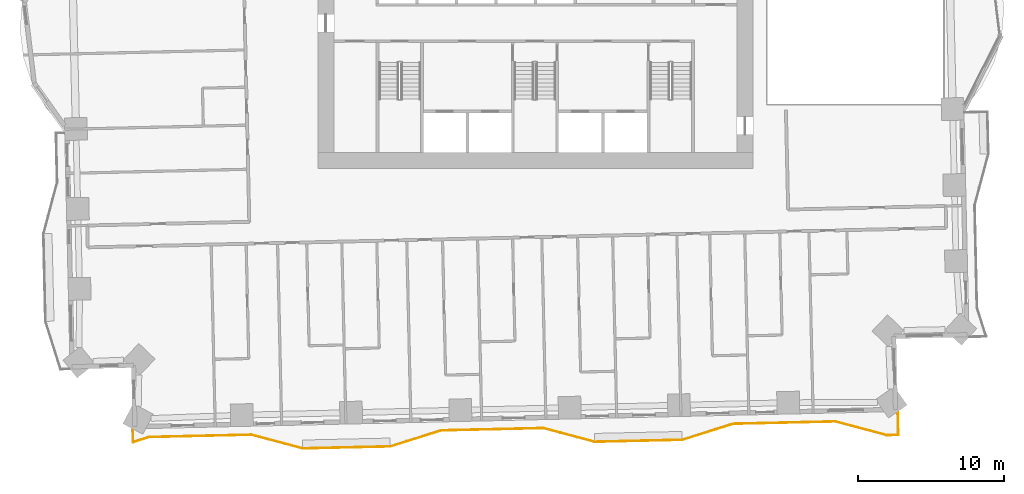
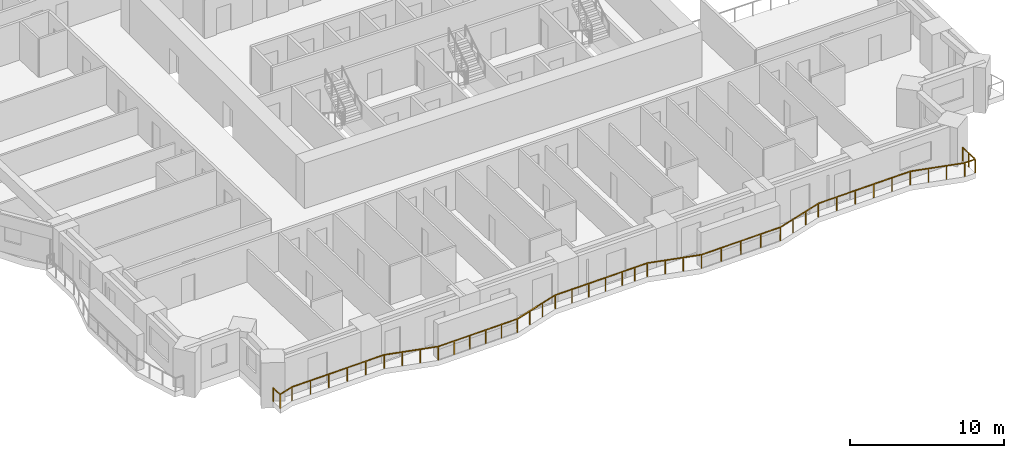
# One storey, part 14 of 16: 1 railing.
"""IFC4 building model written with IfcOpenShell, lengths in metres."""

from ifc_helpers import new_model, si_unit, direction, frame, origin, origin_2d, place, context, subcontext, project, spatial, rectangle, extrude, material, type_object, element, save


model = new_model("IFC4")

# Units and contexts
model_context = context("Model", 3, precision=1e-05, world=origin(), true_north=direction((0.0, 1.0)))
body_context = subcontext(model_context, "Body", "Model", "MODEL_VIEW")
ifc_project = project(units=[si_unit("LENGTHUNIT", "METRE"), si_unit("AREAUNIT", "SQUARE_METRE"), si_unit("VOLUMEUNIT", "CUBIC_METRE"), si_unit("PLANEANGLEUNIT", "RADIAN"), si_unit("MASSUNIT", "GRAM", prefix="KILO")], contexts=[model_context])

# Site, building, storey
site_placement = place(None, origin())
site = spatial("IfcSite", under=ifc_project, at=site_placement, CompositionType="ELEMENT")
building_placement = place(site_placement, origin())
building = spatial("IfcBuilding", under=site, at=building_placement, Name="Mangrove Gate Tower", CompositionType="ELEMENT")
storey_placement = place(building_placement, frame((0.0, 0.0, 37.699951171875)))
storey = spatial("IfcBuildingStorey", under=building, at=storey_placement, Name="L08", CompositionType="ELEMENT", Elevation=37.699951171875)

# Railing
ifc_material = material(Name="Stainless steel grade 316 with laminated glass infill", Category="steel")
railing_type = type_object("IfcRailingType", Name="Balcony guard 1100", PredefinedType="GUARDRAIL", material=ifc_material)
railing_placement = place(storey_placement, frame((-27.568115234375, -29.785888671875, 0.0)))
element("IfcRailing", 1, at=railing_placement, inside=storey, type_object=railing_type, Name="GUARD L08 S1", PredefinedType="GUARDRAIL", context=body_context, shape_type="SweptSolid", body=[
    extrude(rectangle(XDim=0.048095703125, YDim=0.048095703125, at=origin_2d()), frame((0.0, 0.0, 1.076171875), z_axis=(0.021954166752, -0.999758978235, 0.0), x_axis=(0.999758978235, 0.021954166752, 0.0)), (0.0, 0.0, 1.0), 0.867431640625),
    extrude(rectangle(XDim=0.048095703125, YDim=0.048095703125, at=origin_2d()), frame((0.01904296875, -0.8671875, 1.076171875), z_axis=(0.953630941543, 0.300978449944, 0.0), x_axis=(-0.300978449944, 0.953630941543, 0.0)), (0.0, 0.0, 1.0), 1.146240234375),
    extrude(rectangle(XDim=0.048095703125, YDim=0.048095703125, at=origin_2d()), frame((1.112060546875, -0.522216796875, 1.076171875), z_axis=(0.999741403216, 0.022740419861, 0.0), x_axis=(-0.022740419861, 0.999741403216, 0.0)), (0.0, 0.0, 1.0), 6.999755859375),
    extrude(rectangle(XDim=0.048095703125, YDim=0.048095703125, at=origin_2d()), frame((8.110107421875, -0.363037109375, 1.076171875), z_axis=(0.966317161661, -0.257354119999, 0.0), x_axis=(0.257354119999, 0.966317161661, 0.0)), (0.0, 0.0, 1.0), 3.644775390625),
    extrude(rectangle(XDim=0.048095703125, YDim=0.048095703125, at=origin_2d()), frame((11.632080078125, -1.301025390625, 1.076171875), z_axis=(0.999743178102, 0.022662255828, 0.0), x_axis=(-0.022662255828, 0.999743178102, 0.0)), (0.0, 0.0, 1.0), 6.00048828125),
    extrude(rectangle(XDim=0.048095703125, YDim=0.048095703125, at=origin_2d()), frame((17.631103515625, -1.1650390625, 1.076171875), z_axis=(0.953721256752, 0.300692142264, 0.0), x_axis=(-0.300692142264, 0.953721256752, 0.0)), (0.0, 0.0, 1.0), 3.644775390625),
    extrude(rectangle(XDim=0.048095703125, YDim=0.048095703125, at=origin_2d()), frame((21.107177734375, -0.069091796875, 1.076171875), z_axis=(0.999741365697, 0.022742069283, 0.0), x_axis=(-0.022742069283, 0.999741365697, 0.0)), (0.0, 0.0, 1.0), 5.09912109375),
    extrude(rectangle(XDim=0.048095703125, YDim=0.048095703125, at=origin_2d()), frame((26.205078125, 0.046875, 1.076171875), z_axis=(0.999744415357, 0.022607608519, 0.0), x_axis=(-0.022607608519, 0.999744415357, 0.0)), (0.0, 0.0, 1.0), 1.900634765625),
    extrude(rectangle(XDim=0.048095703125, YDim=0.048095703125, at=origin_2d()), frame((28.105224609375, 0.08984375, 1.076171875), z_axis=(0.966317161661, -0.257354119999, 0.0), x_axis=(0.257354119999, 0.966317161661, 0.0)), (0.0, 0.0, 1.0), 3.644775390625),
    extrude(rectangle(XDim=0.048095703125, YDim=0.048095703125, at=origin_2d()), frame((31.627197265625, -0.84814453125, 1.076171875), z_axis=(0.999739371644, 0.02282955947, 0.0), x_axis=(-0.02282955947, 0.999739371644, 0.0)), (0.0, 0.0, 1.0), 5.999267578125),
    extrude(rectangle(XDim=0.048095703125, YDim=0.048095703125, at=origin_2d()), frame((37.625, -0.711181640625, 1.076171875), z_axis=(0.953702045695, 0.30075306821, 0.0), x_axis=(-0.30075306821, 0.953702045695, 0.0)), (0.0, 0.0, 1.0), 3.644775390625),
    extrude(rectangle(XDim=0.048095703125, YDim=0.048095703125, at=origin_2d()), frame((41.10107421875, 0.385009765625, 1.076171875), z_axis=(0.999742267452, 0.022702393474, 0.0), x_axis=(-0.022702393474, 0.999742267452, 0.0)), (0.0, 0.0, 1.0), 7.000732421875),
    extrude(rectangle(XDim=0.048095703125, YDim=0.048095703125, at=origin_2d()), frame((48.10009765625, 0.5439453125, 1.076171875), z_axis=(0.966317161661, -0.257354119999, 0.0), x_axis=(0.257354119999, 0.966317161661, 0.0)), (0.0, 0.0, 1.0), 3.644775390625),
    extrude(rectangle(XDim=0.048095703125, YDim=0.048095703125, at=origin_2d()), frame((51.6220703125, -0.39404296875, 1.076171875), z_axis=(0.999751971697, 0.022270947188, 0.0), x_axis=(-0.022270947188, 0.999751971697, 0.0)), (0.0, 0.0, 1.0), 0.80029296875),
    extrude(rectangle(XDim=0.048095703125, YDim=0.048095703125, at=origin_2d()), frame((52.422119140625, -0.376220703125, 1.076171875), z_axis=(-0.02293761886, 0.999736898209, 0.0), x_axis=(-0.999736898209, -0.02293761886, 0.0)), (0.0, 0.0, 1.0), 1.564697265625),
    extrude(rectangle(XDim=0.0419921875, YDim=0.0419921875, at=origin_2d()), origin(), (0.0, 0.0, 1.0), 1.052001953125),
    extrude(rectangle(XDim=0.0419921875, YDim=0.0419921875, at=origin_2d()), frame((0.01904296875, -0.8671875, 0.0)), (0.0, 0.0, 1.0), 1.052001953125),
    extrude(rectangle(XDim=0.0419921875, YDim=0.0419921875, at=origin_2d()), frame((1.112060546875, -0.522216796875, 0.0)), (0.0, 0.0, 1.0), 1.052001953125),
    extrude(rectangle(XDim=0.0419921875, YDim=0.0419921875, at=origin_2d()), frame((2.51171875, -0.490478515625, 0.0)), (0.0, 0.0, 1.0), 1.052001953125),
    extrude(rectangle(XDim=0.0419921875, YDim=0.0419921875, at=origin_2d()), frame((3.911376953125, -0.45849609375, 0.0)), (0.0, 0.0, 1.0), 1.052001953125),
    extrude(rectangle(XDim=0.0419921875, YDim=0.0419921875, at=origin_2d()), frame((5.310791015625, -0.4267578125, 0.0)), (0.0, 0.0, 1.0), 1.052001953125),
    extrude(rectangle(XDim=0.0419921875, YDim=0.0419921875, at=origin_2d()), frame((6.71044921875, -0.394775390625, 0.0)), (0.0, 0.0, 1.0), 1.052001953125),
    extrude(rectangle(XDim=0.0419921875, YDim=0.0419921875, at=origin_2d()), frame((8.110107421875, -0.363037109375, 0.0)), (0.0, 0.0, 1.0), 1.052001953125),
    extrude(rectangle(XDim=0.0419921875, YDim=0.0419921875, at=origin_2d()), frame((9.2841796875, -0.67578125, 0.0)), (0.0, 0.0, 1.0), 1.052001953125),
    extrude(rectangle(XDim=0.0419921875, YDim=0.0419921875, at=origin_2d()), frame((10.4580078125, -0.98828125, 0.0)), (0.0, 0.0, 1.0), 1.052001953125),
    extrude(rectangle(XDim=0.0419921875, YDim=0.0419921875, at=origin_2d()), frame((11.632080078125, -1.301025390625, 0.0)), (0.0, 0.0, 1.0), 1.052001953125),
    extrude(rectangle(XDim=0.0419921875, YDim=0.0419921875, at=origin_2d()), frame((12.831787109375, -1.27392578125, 0.0)), (0.0, 0.0, 1.0), 1.052001953125),
    extrude(rectangle(XDim=0.0419921875, YDim=0.0419921875, at=origin_2d()), frame((14.03173828125, -1.24658203125, 0.0)), (0.0, 0.0, 1.0), 1.052001953125),
    extrude(rectangle(XDim=0.0419921875, YDim=0.0419921875, at=origin_2d()), frame((15.2314453125, -1.219482421875, 0.0)), (0.0, 0.0, 1.0), 1.052001953125),
    extrude(rectangle(XDim=0.0419921875, YDim=0.0419921875, at=origin_2d()), frame((16.431396484375, -1.192138671875, 0.0)), (0.0, 0.0, 1.0), 1.052001953125),
    extrude(rectangle(XDim=0.0419921875, YDim=0.0419921875, at=origin_2d()), frame((17.631103515625, -1.1650390625, 0.0)), (0.0, 0.0, 1.0), 1.052001953125),
    extrude(rectangle(XDim=0.0419921875, YDim=0.0419921875, at=origin_2d()), frame((18.789794921875, -0.7998046875, 0.0)), (0.0, 0.0, 1.0), 1.052001953125),
    extrude(rectangle(XDim=0.0419921875, YDim=0.0419921875, at=origin_2d()), frame((19.948486328125, -0.434326171875, 0.0)), (0.0, 0.0, 1.0), 1.052001953125),
    extrude(rectangle(XDim=0.0419921875, YDim=0.0419921875, at=origin_2d()), frame((21.107177734375, -0.069091796875, 0.0)), (0.0, 0.0, 1.0), 1.052001953125),
    extrude(rectangle(XDim=0.0419921875, YDim=0.0419921875, at=origin_2d()), frame((22.381591796875, -0.0400390625, 0.0)), (0.0, 0.0, 1.0), 1.052001953125),
    extrude(rectangle(XDim=0.0419921875, YDim=0.0419921875, at=origin_2d()), frame((23.65625, -0.01123046875, 0.0)), (0.0, 0.0, 1.0), 1.052001953125),
    extrude(rectangle(XDim=0.0419921875, YDim=0.0419921875, at=origin_2d()), frame((24.9306640625, 0.017822265625, 0.0)), (0.0, 0.0, 1.0), 1.052001953125),
    extrude(rectangle(XDim=0.0419921875, YDim=0.0419921875, at=origin_2d()), frame((26.205078125, 0.046875, 0.0)), (0.0, 0.0, 1.0), 1.052001953125),
    extrude(rectangle(XDim=0.0419921875, YDim=0.0419921875, at=origin_2d()), frame((27.1552734375, 0.068359375, 0.0)), (0.0, 0.0, 1.0), 1.052001953125),
    extrude(rectangle(XDim=0.0419921875, YDim=0.0419921875, at=origin_2d()), frame((28.105224609375, 0.08984375, 0.0)), (0.0, 0.0, 1.0), 1.052001953125),
    extrude(rectangle(XDim=0.0419921875, YDim=0.0419921875, at=origin_2d()), frame((29.279296875, -0.222900390625, 0.0)), (0.0, 0.0, 1.0), 1.052001953125),
    extrude(rectangle(XDim=0.0419921875, YDim=0.0419921875, at=origin_2d()), frame((30.453125, -0.535400390625, 0.0)), (0.0, 0.0, 1.0), 1.052001953125),
    extrude(rectangle(XDim=0.0419921875, YDim=0.0419921875, at=origin_2d()), frame((31.627197265625, -0.84814453125, 0.0)), (0.0, 0.0, 1.0), 1.052001953125),
    extrude(rectangle(XDim=0.0419921875, YDim=0.0419921875, at=origin_2d()), frame((33.126708984375, -0.81396484375, 0.0)), (0.0, 0.0, 1.0), 1.052001953125),
    extrude(rectangle(XDim=0.0419921875, YDim=0.0419921875, at=origin_2d()), frame((34.6259765625, -0.77978515625, 0.0)), (0.0, 0.0, 1.0), 1.052001953125),
    extrude(rectangle(XDim=0.0419921875, YDim=0.0419921875, at=origin_2d()), frame((36.12548828125, -0.745361328125, 0.0)), (0.0, 0.0, 1.0), 1.052001953125),
    extrude(rectangle(XDim=0.0419921875, YDim=0.0419921875, at=origin_2d()), frame((37.625, -0.711181640625, 0.0)), (0.0, 0.0, 1.0), 1.052001953125),
    extrude(rectangle(XDim=0.0419921875, YDim=0.0419921875, at=origin_2d()), frame((38.78369140625, -0.345703125, 0.0)), (0.0, 0.0, 1.0), 1.052001953125),
    extrude(rectangle(XDim=0.0419921875, YDim=0.0419921875, at=origin_2d()), frame((39.9423828125, 0.01953125, 0.0)), (0.0, 0.0, 1.0), 1.052001953125),
    extrude(rectangle(XDim=0.0419921875, YDim=0.0419921875, at=origin_2d()), frame((41.10107421875, 0.385009765625, 0.0)), (0.0, 0.0, 1.0), 1.052001953125),
    extrude(rectangle(XDim=0.0419921875, YDim=0.0419921875, at=origin_2d()), frame((42.5009765625, 0.416748046875, 0.0)), (0.0, 0.0, 1.0), 1.052001953125),
    extrude(rectangle(XDim=0.0419921875, YDim=0.0419921875, at=origin_2d()), frame((43.900634765625, 0.448486328125, 0.0)), (0.0, 0.0, 1.0), 1.052001953125),
    extrude(rectangle(XDim=0.0419921875, YDim=0.0419921875, at=origin_2d()), frame((45.300537109375, 0.48046875, 0.0)), (0.0, 0.0, 1.0), 1.052001953125),
    extrude(rectangle(XDim=0.0419921875, YDim=0.0419921875, at=origin_2d()), frame((46.7001953125, 0.51220703125, 0.0)), (0.0, 0.0, 1.0), 1.052001953125),
    extrude(rectangle(XDim=0.0419921875, YDim=0.0419921875, at=origin_2d()), frame((48.10009765625, 0.5439453125, 0.0)), (0.0, 0.0, 1.0), 1.052001953125),
    extrude(rectangle(XDim=0.0419921875, YDim=0.0419921875, at=origin_2d()), frame((49.274169921875, 0.231201171875, 0.0)), (0.0, 0.0, 1.0), 1.052001953125),
    extrude(rectangle(XDim=0.0419921875, YDim=0.0419921875, at=origin_2d()), frame((50.447998046875, -0.081298828125, 0.0)), (0.0, 0.0, 1.0), 1.052001953125),
    extrude(rectangle(XDim=0.0419921875, YDim=0.0419921875, at=origin_2d()), frame((51.6220703125, -0.39404296875, 0.0)), (0.0, 0.0, 1.0), 1.052001953125),
    extrude(rectangle(XDim=0.0419921875, YDim=0.0419921875, at=origin_2d()), frame((52.422119140625, -0.376220703125, 0.0)), (0.0, 0.0, 1.0), 1.052001953125),
    extrude(rectangle(XDim=0.0419921875, YDim=0.0419921875, at=origin_2d()), frame((52.404296875, 0.40576171875, 0.0)), (0.0, 0.0, 1.0), 1.052001953125),
    extrude(rectangle(XDim=0.0419921875, YDim=0.0419921875, at=origin_2d()), frame((52.38623046875, 1.18798828125, 0.0)), (0.0, 0.0, 1.0), 1.052001953125),
])

save(model, "model.ifc")
